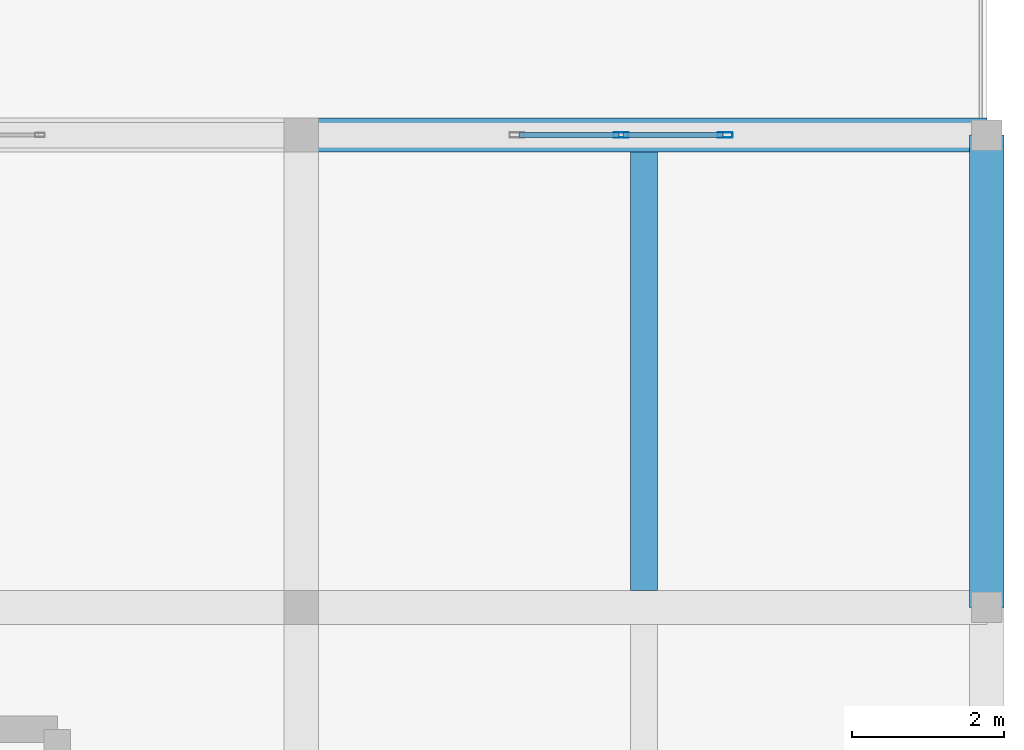
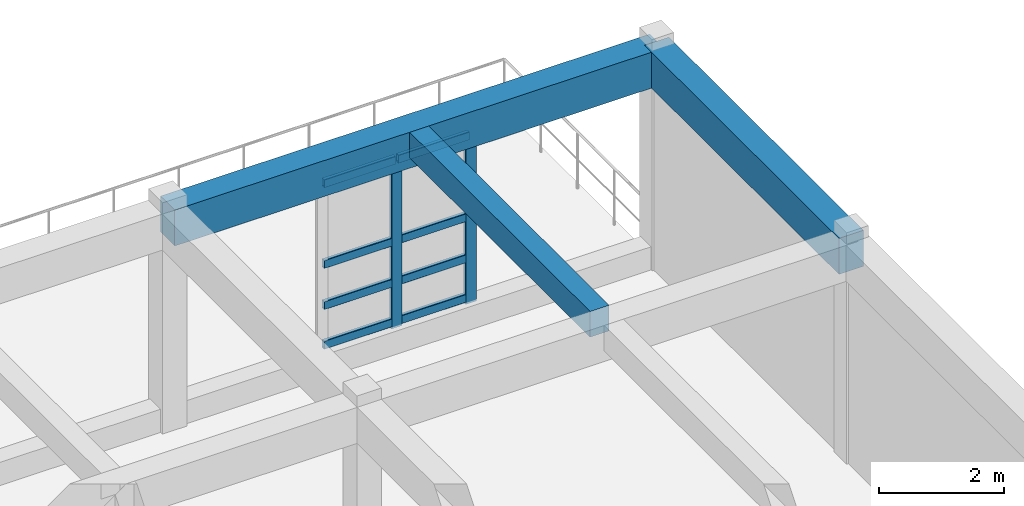
# One storey, part 10 of 15: 10 members, 3 beams, 1 element without a shape of its own.
"""IFC4 building model written with IfcOpenShell, lengths in metres."""

from ifc_helpers import new_model, si_unit, derived_unit, direction, frame, origin, origin_2d, place, context, subcontext, project, spatial, rectangle, hollow_rectangle, extrude, material, layer, layer_set, material_profile, profile_set, type_object, element, aggregate, save


model = new_model("IFC4")

# Units and contexts
model_context = context("Model", 3, precision=1e-05, world=origin(), true_north=direction((0.0, 1.0)))
body_context = subcontext(model_context, "Body", "Model", "MODEL_VIEW")
ifc_project = project(units=[si_unit("LENGTHUNIT", "METRE"), si_unit("AREAUNIT", "SQUARE_METRE"), si_unit("VOLUMEUNIT", "CUBIC_METRE"), si_unit("PLANEANGLEUNIT", "RADIAN"), si_unit("MASSUNIT", "GRAM", prefix="KILO"), derived_unit("THERMALTRANSMITTANCEUNIT", [(si_unit("POWERUNIT", "WATT"), 1), (si_unit("LENGTHUNIT", "METRE"), -2), (si_unit("THERMODYNAMICTEMPERATUREUNIT", "KELVIN"), -1)])], contexts=[model_context])

# Site, building, storey
site_placement = place(None, origin())
site = spatial("IfcSite", under=ifc_project, at=site_placement, CompositionType="ELEMENT")
building_placement = place(site_placement, origin())
building = spatial("IfcBuilding", under=site, at=building_placement, Name="Almenara Railside Exhibition Hall", CompositionType="ELEMENT")
storey_placement = place(building_placement, frame((0.0, 0.0, 16.199951171875)))
storey = spatial("IfcBuildingStorey", under=building, at=storey_placement, Name="L03", CompositionType="ELEMENT", Elevation=16.199951171875)

# Curtain wall, members
ifc_material_1 = material(Name="Bronze-anodised aluminium and low-E double glazing", Category="aluminium")
ifc_layer = layer(ifc_material_1, 0.179931640625, Name="Bronze-anodised aluminium and low-E double glazing")
ifc_layer_set = layer_set([ifc_layer], Name="Bronze-anodised aluminium and low-E double glazing")
curtain_wall_type = type_object("IfcCurtainWallType", Name="Belvedere North Loggia Curtain Wall 2800x3300", PredefinedType="NOTDEFINED", material=ifc_layer_set)
curtain_wall_placement = place(storey_placement, origin())
curtain_wall = element("IfcCurtainWall", 1, at=curtain_wall_placement, inside=storey, type_object=curtain_wall_type, Name="Curtain wall CW-BV1-167", PredefinedType="NOTDEFINED")
ifc_material_2 = material(Name="Bronze-anodised aluminium", Category="aluminium")
ifc_material_profile_1 = material_profile(ifc_material_2, hollow_rectangle(XDim=0.070068359375, YDim=0.199951171875, WallThickness=0.00439453125, InnerFilletRadius=0.00439453125, OuterFilletRadius=0.009033203125, at=origin_2d()), Name="ALU-MUL 70x200x4.5")
ifc_profile_set_1 = profile_set([ifc_material_profile_1], Name="Bronze-anodised aluminium")
member_type_1 = type_object("IfcMemberType", Name="Curtain Wall Mullion 70x200x4.5", PredefinedType="MULLION", material=ifc_profile_set_1)
member_1_placement = place(storey_placement, frame((199.199951171875, 28.0, 0.4150390625), z_axis=(0.0, 0.0, 1.0), x_axis=(0.0, 1.0, 0.0)))
member_1 = element("IfcMember", 2, at=member_1_placement, type_object=member_type_1, Name="CW-BV1-167 mullion 2", PredefinedType="MULLION", context=body_context, shape_type="SweptSolid", body=[
    extrude(hollow_rectangle(XDim=0.070068359375, YDim=0.199951171875, WallThickness=0.00439453125, InnerFilletRadius=0.00439453125, OuterFilletRadius=0.009033203125, at=origin_2d()), origin(), (0.0, 0.0, 1.0), 3.3349609375),
])
member_2_placement = place(storey_placement, frame((200.56494140625, 28.0, 0.4150390625), z_axis=(0.0, 0.0, 1.0), x_axis=(0.0, 1.0, 0.0)))
member_2 = element("IfcMember", 3, at=member_2_placement, type_object=member_type_1, Name="CW-BV1-167 mullion 3", PredefinedType="MULLION", context=body_context, shape_type="SweptSolid", body=[
    extrude(hollow_rectangle(XDim=0.070068359375, YDim=0.199951171875, WallThickness=0.00439453125, InnerFilletRadius=0.00439453125, OuterFilletRadius=0.009033203125, at=origin_2d()), origin(), (0.0, 0.0, 1.0), 3.3349609375),
])
ifc_material_profile_2 = material_profile(ifc_material_2, hollow_rectangle(XDim=0.070068359375, YDim=0.159912109375, WallThickness=0.00390625, InnerFilletRadius=0.00390625, OuterFilletRadius=0.008056640625, at=origin_2d()), Name="ALU-TRN 70x160x4")
ifc_profile_set_2 = profile_set([ifc_material_profile_2], Name="Bronze-anodised aluminium")
member_type_2 = type_object("IfcMemberType", Name="Curtain Wall Transom 70x160x4", PredefinedType="USERDEFINED", material=ifc_profile_set_2)
member_3_placement = place(storey_placement, frame((197.862060546875, 28.0, 0.530029296875), z_axis=(1.0, 0.0, 0.0), x_axis=(0.0, 1.0, 0.0)))
member_3 = element("IfcMember", 4, at=member_3_placement, type_object=member_type_2, Name="CW-BV1-167 transom 1.1", ObjectType="TRANSOM", PredefinedType="USERDEFINED", context=body_context, shape_type="SweptSolid", body=[
    extrude(hollow_rectangle(XDim=0.070068359375, YDim=0.159912109375, WallThickness=0.00390625, InnerFilletRadius=0.00390625, OuterFilletRadius=0.008056640625, at=origin_2d()), origin(), (0.0, 0.0, 1.0), 1.31103515625),
])
member_4_placement = place(storey_placement, frame((197.862060546875, 28.0, 1.300048828125), z_axis=(1.0, 0.0, 0.0), x_axis=(0.0, 1.0, 0.0)))
member_4 = element("IfcMember", 5, at=member_4_placement, type_object=member_type_2, Name="CW-BV1-167 transom 1.2", ObjectType="TRANSOM", PredefinedType="USERDEFINED", context=body_context, shape_type="SweptSolid", body=[
    extrude(hollow_rectangle(XDim=0.070068359375, YDim=0.159912109375, WallThickness=0.00390625, InnerFilletRadius=0.00390625, OuterFilletRadius=0.008056640625, at=origin_2d()), origin(), (0.0, 0.0, 1.0), 1.31103515625),
])
member_5_placement = place(storey_placement, frame((197.862060546875, 28.0, 2.10009765625), z_axis=(1.0, 0.0, 0.0), x_axis=(0.0, 1.0, 0.0)))
member_5 = element("IfcMember", 6, at=member_5_placement, type_object=member_type_2, Name="CW-BV1-167 transom 1.3", ObjectType="TRANSOM", PredefinedType="USERDEFINED", context=body_context, shape_type="SweptSolid", body=[
    extrude(hollow_rectangle(XDim=0.070068359375, YDim=0.159912109375, WallThickness=0.00390625, InnerFilletRadius=0.00390625, OuterFilletRadius=0.008056640625, at=origin_2d()), origin(), (0.0, 0.0, 1.0), 1.31103515625),
])
member_6_placement = place(storey_placement, frame((197.862060546875, 28.0, 3.670166015625), z_axis=(1.0, 0.0, 0.0), x_axis=(0.0, 1.0, 0.0)))
member_6 = element("IfcMember", 7, at=member_6_placement, type_object=member_type_2, Name="CW-BV1-167 transom 1.4", ObjectType="TRANSOM", PredefinedType="USERDEFINED", context=body_context, shape_type="SweptSolid", body=[
    extrude(hollow_rectangle(XDim=0.070068359375, YDim=0.159912109375, WallThickness=0.00390625, InnerFilletRadius=0.00390625, OuterFilletRadius=0.008056640625, at=origin_2d()), origin(), (0.0, 0.0, 1.0), 1.31103515625),
])
member_7_placement = place(storey_placement, frame((199.22705078125, 28.0, 0.530029296875), z_axis=(1.0, 0.0, 0.0), x_axis=(0.0, 1.0, 0.0)))
member_7 = element("IfcMember", 8, at=member_7_placement, type_object=member_type_2, Name="CW-BV1-167 transom 2.1", ObjectType="TRANSOM", PredefinedType="USERDEFINED", context=body_context, shape_type="SweptSolid", body=[
    extrude(hollow_rectangle(XDim=0.070068359375, YDim=0.159912109375, WallThickness=0.00390625, InnerFilletRadius=0.00390625, OuterFilletRadius=0.008056640625, at=origin_2d()), origin(), (0.0, 0.0, 1.0), 1.31103515625),
])
member_8_placement = place(storey_placement, frame((199.22705078125, 28.0, 1.300048828125), z_axis=(1.0, 0.0, 0.0), x_axis=(0.0, 1.0, 0.0)))
member_8 = element("IfcMember", 9, at=member_8_placement, type_object=member_type_2, Name="CW-BV1-167 transom 2.2", ObjectType="TRANSOM", PredefinedType="USERDEFINED", context=body_context, shape_type="SweptSolid", body=[
    extrude(hollow_rectangle(XDim=0.070068359375, YDim=0.159912109375, WallThickness=0.00390625, InnerFilletRadius=0.00390625, OuterFilletRadius=0.008056640625, at=origin_2d()), origin(), (0.0, 0.0, 1.0), 1.31103515625),
])
member_9_placement = place(storey_placement, frame((199.22705078125, 28.0, 2.10009765625), z_axis=(1.0, 0.0, 0.0), x_axis=(0.0, 1.0, 0.0)))
member_9 = element("IfcMember", 10, at=member_9_placement, type_object=member_type_2, Name="CW-BV1-167 transom 2.3", ObjectType="TRANSOM", PredefinedType="USERDEFINED", context=body_context, shape_type="SweptSolid", body=[
    extrude(hollow_rectangle(XDim=0.070068359375, YDim=0.159912109375, WallThickness=0.00390625, InnerFilletRadius=0.00390625, OuterFilletRadius=0.008056640625, at=origin_2d()), origin(), (0.0, 0.0, 1.0), 1.31103515625),
])
member_10_placement = place(storey_placement, frame((199.22705078125, 28.0, 3.670166015625), z_axis=(1.0, 0.0, 0.0), x_axis=(0.0, 1.0, 0.0)))
member_10 = element("IfcMember", 11, at=member_10_placement, type_object=member_type_2, Name="CW-BV1-167 transom 2.4", ObjectType="TRANSOM", PredefinedType="USERDEFINED", context=body_context, shape_type="SweptSolid", body=[
    extrude(hollow_rectangle(XDim=0.070068359375, YDim=0.159912109375, WallThickness=0.00390625, InnerFilletRadius=0.00390625, OuterFilletRadius=0.008056640625, at=origin_2d()), origin(), (0.0, 0.0, 1.0), 1.31103515625),
])
aggregate(curtain_wall, [member_1, member_2, member_3, member_4, member_5, member_6, member_7, member_8, member_9, member_10])

# Beams
ifc_material_3 = material(Name="Concrete C35/45", Category="concrete")
ifc_material_profile_3 = material_profile(ifc_material_3, rectangle(XDim=0.449951171875, YDim=0.699951171875, at=origin_2d()), Name="RC 450x700")
ifc_profile_set_3 = profile_set([ifc_material_profile_3], Name="Concrete C35/45")
beam_type_1 = type_object("IfcBeamType", Name="RC Floor Beam 450x700 C35/45", PredefinedType="BEAM", material=ifc_profile_set_3)
beam_1_placement = place(storey_placement, frame((195.0, 28.0, 3.929931640625), z_axis=(1.0, 0.0, 0.0), x_axis=(0.0, 1.0, 0.0)))
element("IfcBeam", 12, at=beam_1_placement, inside=storey, type_object=beam_type_1, Name="Beam 0367", PredefinedType="BEAM", context=body_context, shape_type="SweptSolid", body=[
    extrude(rectangle(XDim=0.449951171875, YDim=0.699951171875, at=origin_2d()), origin(), (0.0, 0.0, 1.0), 9.0),
])
beam_2_placement = place(storey_placement, frame((204.0, 21.800048828125, 3.929931640625), z_axis=(0.0, 1.0, 0.0), x_axis=(-1.0, 0.0, 0.0)))
element("IfcBeam", 13, at=beam_2_placement, inside=storey, type_object=beam_type_1, Name="Beam 0391", PredefinedType="BEAM", context=body_context, shape_type="SweptSolid", body=[
    extrude(rectangle(XDim=0.449951171875, YDim=0.699951171875, at=origin_2d()), origin(), (0.0, 0.0, 1.0), 6.199951171875),
])
ifc_material_profile_4 = material_profile(ifc_material_3, rectangle(XDim=0.35009765625, YDim=0.5, at=origin_2d()), Name="RC 350x500")
ifc_profile_set_4 = profile_set([ifc_material_profile_4], Name="Concrete C35/45")
beam_type_2 = type_object("IfcBeamType", Name="RC Spandrel Tie Beam 350x500 C35/45", PredefinedType="SPANDREL", material=ifc_profile_set_4)
beam_3_placement = place(storey_placement, frame((199.5, 22.02490234375, 4.030029296875), z_axis=(0.0, 1.0, 0.0), x_axis=(-1.0, 0.0, 0.0)))
element("IfcBeam", 14, at=beam_3_placement, inside=storey, type_object=beam_type_2, Name="Beam 0412", PredefinedType="SPANDREL", context=body_context, shape_type="SweptSolid", body=[
    extrude(rectangle(XDim=0.35009765625, YDim=0.5, at=origin_2d()), origin(), (0.0, 0.0, 1.0), 5.75),
])

save(model, "model.ifc")
